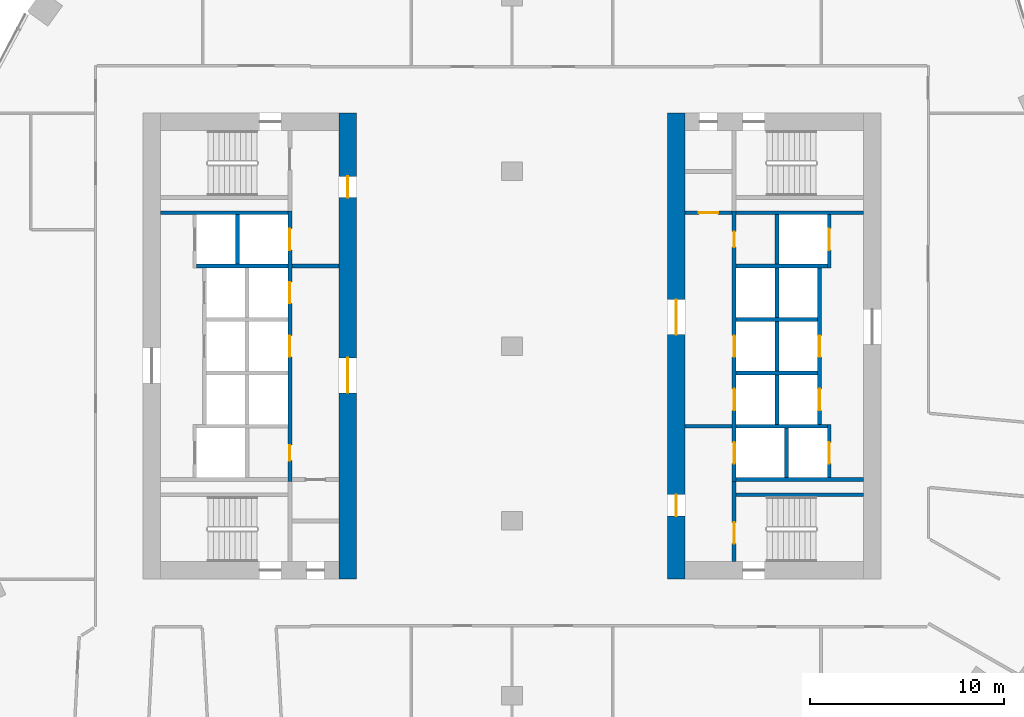
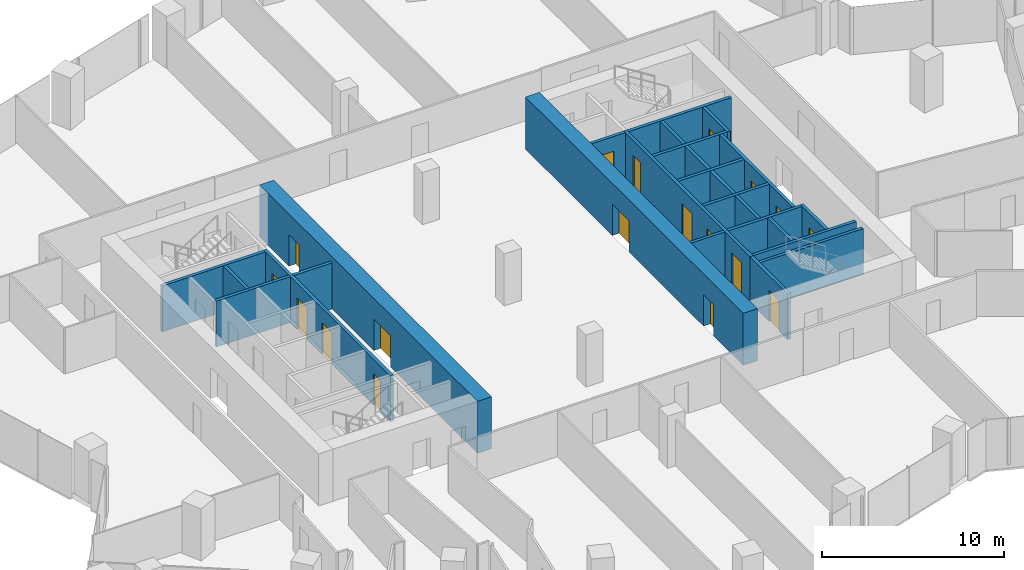
# One storey, part 25 of 31: 26 walls, 18 doors, 18 openings.
"""IFC4 building model written with IfcOpenShell, lengths in metres."""

from ifc_helpers import new_model, si_unit, direction, frame, frame_2d, origin, place, context, subcontext, project, spatial, rectangle, extrude, material, layer, layer_set, type_object, element, fill, save


model = new_model("IFC4")

# Units and contexts
model_context = context("Model", 3, precision=1e-05, world=origin(), true_north=direction((0.0, 1.0)))
body_context = subcontext(model_context, "Body", "Model", "MODEL_VIEW")
ifc_project = project(units=[si_unit("LENGTHUNIT", "METRE"), si_unit("AREAUNIT", "SQUARE_METRE"), si_unit("VOLUMEUNIT", "CUBIC_METRE"), si_unit("PLANEANGLEUNIT", "RADIAN"), si_unit("MASSUNIT", "GRAM", prefix="KILO")], contexts=[model_context])

# Site, building, storey
site_placement = place(None, origin())
site = spatial("IfcSite", under=ifc_project, at=site_placement, CompositionType="ELEMENT")
building_placement = place(site_placement, origin())
building = spatial("IfcBuilding", under=site, at=building_placement, Name="Orlundy Tower", CompositionType="ELEMENT")
storey_placement = place(building_placement, frame((0.0, 0.0, 84.199951171875)))
storey = spatial("IfcBuildingStorey", under=building, at=storey_placement, Name="L20", CompositionType="ELEMENT", Elevation=84.199951171875)

# Wall, openings, doors
ifc_material_1 = material(Name="Concrete C80/95", Category="concrete")
ifc_layer_1 = layer(ifc_material_1, 0.89990234375)
ifc_layer_set_1 = layer_set([ifc_layer_1], Name="CORE WALL 900 C80/95")
wall_type_1 = type_object("IfcWallType", Name="CORE WALL 900 C80/95", PredefinedType="SHEAR", material=ifc_layer_set_1)
wall_1_placement = place(storey_placement, frame((-8.449951171875, -12.0, 0.0), z_axis=(0.0, 0.0, 1.0), x_axis=(0.0, 1.0, 0.0)))
wall_1 = element("IfcWall", 1, at=wall_1_placement, inside=storey, type_object=wall_type_1, Name="Core wall W-E L20", PredefinedType="SHEAR", context=body_context, shape_type="SweptSolid", body=[
    extrude(rectangle(XDim=24.0, YDim=0.89990234375, at=frame_2d((12.0, 0.0))), origin(), (0.0, 0.0, 1.0), 3.5),
])
opening_1_placement = place(wall_1_placement, frame((9.60009765625, 0.0, 0.0)))
opening_1 = element("IfcOpeningElement", 2, at=opening_1_placement, cuts=wall_1, Name="Opening 17009", PredefinedType="OPENING", context=body_context, shape_type="SweptSolid", body=[
    extrude(rectangle(XDim=1.800048828125, YDim=2.10009765625, at=frame_2d((0.89990234375, 1.050048828125))), frame((0.0, 0.4599609375, 0.0), z_axis=(0.0, -1.0, 0.0), x_axis=(1.0, 0.0, 0.0)), (0.0, 0.0, 1.0), 0.919921875),
])
opening_2_placement = place(wall_1_placement, frame((19.64990234375, 0.0, 0.0)))
opening_2 = element("IfcOpeningElement", 3, at=opening_2_placement, cuts=wall_1, Name="Opening 17011", PredefinedType="OPENING", context=body_context, shape_type="SweptSolid", body=[
    extrude(rectangle(XDim=1.10009765625, YDim=2.10009765625, at=frame_2d((0.550048828125, 1.050048828125))), frame((0.0, 0.4599609375, 0.0), z_axis=(0.0, -1.0, 0.0), x_axis=(1.0, 0.0, 0.0)), (0.0, 0.0, 1.0), 0.919921875),
])
ifc_material_2 = material(Name="Steel door set", Category="steel")
door_type_1 = type_object("IfcDoorType", Name="Fire-fighting Lobby Door 1100x2100", OperationType="SINGLE_SWING_LEFT", PredefinedType="DOOR", material=ifc_material_2)
door_1_placement = place(opening_2_placement, origin())
door_1 = element("IfcDoor", 4, at=door_1_placement, inside=storey, type_object=door_type_1, Name="Fire-fighting lobby door 17011", OperationType="SINGLE_SWING_RIGHT", OverallHeight=2.10009765625, OverallWidth=1.10009765625, PredefinedType="DOOR", context=body_context, shape_type="SweptSolid", body=[
    extrude(rectangle(XDim=1.10009765625, YDim=2.10009765625, at=frame_2d((0.550048828125, 1.050048828125))), frame((0.0, 0.02490234375, 0.0), z_axis=(0.0, -1.0, 0.0), x_axis=(1.0, 0.0, 0.0)), (0.0, 0.0, 1.0), 0.050048828125),
])
fill(opening_2, door_1)
ifc_material_3 = material(Name="Timber door set", Category="wood")
door_type_2 = type_object("IfcDoorType", Name="Lobby Door 1800x2100", OperationType="DOUBLE_DOOR_DOUBLE_SWING", PredefinedType="DOOR", material=ifc_material_3)
door_2_placement = place(opening_1_placement, origin())
door_2 = element("IfcDoor", 5, at=door_2_placement, inside=storey, type_object=door_type_2, Name="Lift lobby door 17009", OperationType="SINGLE_SWING_LEFT", OverallHeight=2.10009765625, OverallWidth=1.800048828125, PredefinedType="DOOR", context=body_context, shape_type="SweptSolid", body=[
    extrude(rectangle(XDim=1.800048828125, YDim=2.10009765625, at=frame_2d((0.89990234375, 1.050048828125))), frame((0.0, 0.02490234375, 0.0), z_axis=(0.0, -1.0, 0.0), x_axis=(1.0, 0.0, 0.0)), (0.0, 0.0, 1.0), 0.050048828125),
])
fill(opening_1, door_2)

wall_2_placement = place(storey_placement, frame((8.449951171875, -12.0, 0.0), z_axis=(0.0, 0.0, 1.0), x_axis=(0.0, 1.0, 0.0)))
wall_2 = element("IfcWall", 6, at=wall_2_placement, inside=storey, type_object=wall_type_1, Name="Core wall E-W L20", PredefinedType="SHEAR", context=body_context, shape_type="SweptSolid", body=[
    extrude(rectangle(XDim=24.0, YDim=0.89990234375, at=frame_2d((12.0, 0.0))), origin(), (0.0, 0.0, 1.0), 3.5),
])
opening_3_placement = place(wall_2_placement, frame((12.60009765625, 0.0, 0.0)))
opening_3 = element("IfcOpeningElement", 7, at=opening_3_placement, cuts=wall_2, Name="Opening 17058", PredefinedType="OPENING", context=body_context, shape_type="SweptSolid", body=[
    extrude(rectangle(XDim=1.800048828125, YDim=2.10009765625, at=frame_2d((0.89990234375, 1.050048828125))), frame((0.0, 0.4599609375, 0.0), z_axis=(0.0, -1.0, 0.0), x_axis=(1.0, 0.0, 0.0)), (0.0, 0.0, 1.0), 0.919921875),
])
opening_4_placement = place(wall_2_placement, frame((3.25, 0.0, 0.0)))
opening_4 = element("IfcOpeningElement", 8, at=opening_4_placement, cuts=wall_2, Name="Opening 17060", PredefinedType="OPENING", context=body_context, shape_type="SweptSolid", body=[
    extrude(rectangle(XDim=1.10009765625, YDim=2.10009765625, at=frame_2d((0.550048828125, 1.050048828125))), frame((0.0, 0.4599609375, 0.0), z_axis=(0.0, -1.0, 0.0), x_axis=(1.0, 0.0, 0.0)), (0.0, 0.0, 1.0), 0.919921875),
])
door_3_placement = place(opening_4_placement, origin())
door_3 = element("IfcDoor", 9, at=door_3_placement, inside=storey, type_object=door_type_1, Name="Fire-fighting lobby door 17060", OperationType="SINGLE_SWING_LEFT", OverallHeight=2.10009765625, OverallWidth=1.10009765625, PredefinedType="DOOR", context=body_context, shape_type="SweptSolid", body=[
    extrude(rectangle(XDim=1.10009765625, YDim=2.10009765625, at=frame_2d((0.550048828125, 1.050048828125))), frame((0.0, 0.02490234375, 0.0), z_axis=(0.0, -1.0, 0.0), x_axis=(1.0, 0.0, 0.0)), (0.0, 0.0, 1.0), 0.050048828125),
])
fill(opening_4, door_3)
door_4_placement = place(opening_3_placement, origin())
door_4 = element("IfcDoor", 10, at=door_4_placement, inside=storey, type_object=door_type_2, Name="Lift lobby door 17058", OperationType="SINGLE_SWING_RIGHT", OverallHeight=2.10009765625, OverallWidth=1.800048828125, PredefinedType="DOOR", context=body_context, shape_type="SweptSolid", body=[
    extrude(rectangle(XDim=1.800048828125, YDim=2.10009765625, at=frame_2d((0.89990234375, 1.050048828125))), frame((0.0, 0.02490234375, 0.0), z_axis=(0.0, -1.0, 0.0), x_axis=(1.0, 0.0, 0.0)), (0.0, 0.0, 1.0), 0.050048828125),
])
fill(opening_3, door_4)

# Wall, opening, door
ifc_material_4 = material(Name="Concrete C40/50", Category="concrete")
ifc_layer_2 = layer(ifc_material_4, 0.199951171875)
ifc_layer_set_2 = layer_set([ifc_layer_2], Name="Load-bearing Shaft Wall 200")
wall_type_2 = type_object("IfcWallType", Name="Load-bearing Shaft Wall 200", PredefinedType="SOLIDWALL", material=ifc_layer_set_2)
wall_3_placement = place(storey_placement, frame((11.43994140625, -6.97509765625, 0.0), z_axis=(0.0, 0.0, 1.0), x_axis=(0.0, -1.0, 0.0)))
wall_3 = element("IfcWall", 11, at=wall_3_placement, inside=storey, type_object=wall_type_2, Name="Shaft wall E17-stair-end-n", PredefinedType="SOLIDWALL", context=body_context, shape_type="SweptSolid", body=[
    extrude(rectangle(XDim=4.125, YDim=0.199951171875, at=frame_2d((2.0625, 0.0))), origin(), (0.0, 0.0, 1.0), 3.090087890625),
])
opening_5_placement = place(wall_3_placement, frame((2.10009765625, 0.0, 0.0)))
opening_5 = element("IfcOpeningElement", 12, at=opening_5_placement, cuts=wall_3, Name="Opening 17063", PredefinedType="OPENING", context=body_context, shape_type="SweptSolid", body=[
    extrude(rectangle(XDim=1.10009765625, YDim=2.10009765625, at=frame_2d((0.550048828125, 1.050048828125))), frame((0.0, 0.110107421875, 0.0), z_axis=(0.0, -1.0, 0.0), x_axis=(1.0, 0.0, 0.0)), (0.0, 0.0, 1.0), 0.22021484375),
])
door_5_placement = place(opening_5_placement, origin())
door_5 = element("IfcDoor", 13, at=door_5_placement, inside=storey, type_object=door_type_1, Name="Fire-fighting lobby to stair door 17063", OperationType="SINGLE_SWING_RIGHT", OverallHeight=2.10009765625, OverallWidth=1.10009765625, PredefinedType="DOOR", context=body_context, shape_type="SweptSolid", body=[
    extrude(rectangle(XDim=1.10009765625, YDim=2.10009765625, at=frame_2d((0.550048828125, 1.050048828125))), frame((0.0, 0.02490234375, 0.0), z_axis=(0.0, -1.0, 0.0), x_axis=(1.0, 0.0, 0.0)), (0.0, 0.0, 1.0), 0.050048828125),
])
fill(opening_5, door_5)

# Walls
wall_4_placement = place(storey_placement, frame((11.5400390625, -7.64990234375, 0.0), z_axis=(0.0, 0.0, 1.0), x_axis=(1.0, 0.0, 0.0)))
element("IfcWall", 14, at=wall_4_placement, inside=storey, type_object=wall_type_2, Name="Shaft wall E17-stair-side-n", PredefinedType="SOLIDWALL", context=body_context, shape_type="SweptSolid", body=[
    extrude(rectangle(XDim=6.56005859375, YDim=0.199951171875, at=frame_2d((3.280029296875, 0.0))), origin(), (0.0, 0.0, 1.0), 3.090087890625),
])
ifc_material_5 = material(Name="Gypsum board partition on steel studs", Category="steel")
ifc_layer_3 = layer(ifc_material_5, 0.199951171875)
ifc_layer_set_3 = layer_set([ifc_layer_3], Name="Partition 200")
wall_type_3 = type_object("IfcWallType", Name="Partition 200", PredefinedType="PARTITIONING", material=ifc_layer_set_3)
for number, where, z_axis, x_axis, name in (
    (15, (-8.89990234375, 4.125, 0.0), (0.0, 0.0, 1.0), (-1.0, 0.0, 0.0), "Partition wall W17-lobby-n"),
    (16, (8.89990234375, -4.125, 0.0), (0.0, 0.0, 1.0), (1.0, 0.0, 0.0), "Partition wall E17-lobby-n"),
):
    element("IfcWall", number, at=place(storey_placement, frame(where, z_axis=z_axis, x_axis=x_axis)), inside=storey, type_object=wall_type_3, Name=name, PredefinedType="PARTITIONING", context=body_context, shape_type="SweptSolid", body=[
        extrude(rectangle(XDim=2.440185546875, YDim=0.199951171875, at=frame_2d((1.22021484375, 0.0))), origin(), (0.0, 0.0, 1.0), 3.090087890625),
    ])

# Wall, opening, door
wall_5_placement = place(storey_placement, frame((8.89990234375, 6.875, 0.0), z_axis=(0.0, 0.0, 1.0), x_axis=(1.0, 0.0, 0.0)))
wall_5 = element("IfcWall", 17, at=wall_5_placement, inside=storey, type_object=wall_type_3, Name="Partition wall E17-end-s", PredefinedType="PARTITIONING", context=body_context, shape_type="SweptSolid", body=[
    extrude(rectangle(XDim=2.440185546875, YDim=0.199951171875, at=frame_2d((1.22021484375, 0.0))), origin(), (0.0, 0.0, 1.0), 3.090087890625),
])
opening_6_placement = place(wall_5_placement, frame((0.719970703125, 0.0, 0.0)))
opening_6 = element("IfcOpeningElement", 18, at=opening_6_placement, cuts=wall_5, Name="Opening 17065", PredefinedType="OPENING", context=body_context, shape_type="SweptSolid", body=[
    extrude(rectangle(XDim=1.0, YDim=2.10009765625, at=frame_2d((0.5, 1.050048828125))), frame((0.0, 0.110107421875, 0.0), z_axis=(0.0, -1.0, 0.0), x_axis=(1.0, 0.0, 0.0)), (0.0, 0.0, 1.0), 0.22021484375),
])
ifc_material_6 = material(Name="Timber door set", Category="wood")
door_type_3 = type_object("IfcDoorType", Name="Accessible Door 1000x2100", OperationType="SINGLE_SWING_LEFT", PredefinedType="DOOR", material=ifc_material_6)
door_6_placement = place(opening_6_placement, origin())
door_6 = element("IfcDoor", 19, at=door_6_placement, inside=storey, type_object=door_type_3, Name="Accessible WC door 17065", OperationType="SINGLE_SWING_RIGHT", OverallHeight=2.10009765625, OverallWidth=1.0, PredefinedType="DOOR", context=body_context, shape_type="SweptSolid", body=[
    extrude(rectangle(XDim=1.0, YDim=2.10009765625, at=frame_2d((0.5, 1.050048828125))), frame((0.0, 0.02490234375, 0.0), z_axis=(0.0, -1.0, 0.0), x_axis=(1.0, 0.0, 0.0)), (0.0, 0.0, 1.0), 0.050048828125),
])
fill(opening_6, door_6)

# Walls
ifc_material_7 = material(Name="Fire-rated blockwork shaft wall", Category="masonry")
ifc_layer_4 = layer(ifc_material_7, 0.199951171875)
ifc_layer_set_4 = layer_set([ifc_layer_4], Name="Shaft Wall 200")
wall_type_4 = type_object("IfcWallType", Name="Shaft Wall 200", PredefinedType="SOLIDWALL", material=ifc_layer_set_4)
wall_6_placement = place(storey_placement, frame((-11.5400390625, 6.875, 0.0), z_axis=(0.0, 0.0, 1.0), x_axis=(-1.0, 0.0, 0.0)))
element("IfcWall", 20, at=wall_6_placement, inside=storey, type_object=wall_type_4, Name="Shaft wall W17-zone-n", PredefinedType="SOLIDWALL", context=body_context, shape_type="SweptSolid", body=[
    extrude(rectangle(XDim=6.56005859375, YDim=0.199951171875, at=frame_2d((3.280029296875, 0.0))), origin(), (0.0, 0.0, 1.0), 3.090087890625),
])
wall_7_placement = place(storey_placement, frame((-11.5400390625, 4.125, 0.0), z_axis=(0.0, 0.0, 1.0), x_axis=(-1.0, 0.0, 0.0)))
element("IfcWall", 21, at=wall_7_placement, inside=storey, type_object=wall_type_4, Name="Shaft wall W17-cross+4.125", PredefinedType="SOLIDWALL", context=body_context, shape_type="SweptSolid", body=[
    extrude(rectangle(XDim=4.699951171875, YDim=0.199951171875, at=frame_2d((2.35009765625, 0.0))), origin(), (0.0, 0.0, 1.0), 3.090087890625),
])

# Wall, openings, doors
wall_8_placement = place(storey_placement, frame((-11.43994140625, -6.97509765625, 0.0), z_axis=(0.0, 0.0, 1.0), x_axis=(0.0, 1.0, 0.0)))
wall_8 = element("IfcWall", 22, at=wall_8_placement, inside=storey, type_object=wall_type_4, Name="Shaft wall W17-front-h", PredefinedType="SOLIDWALL", context=body_context, shape_type="SweptSolid", body=[
    extrude(rectangle(XDim=13.9501953125, YDim=0.199951171875, at=frame_2d((6.97509765625, 0.0))), origin(), (0.0, 0.0, 1.0), 3.090087890625),
])
opening_7_placement = place(wall_8_placement, frame((6.425048828125, 0.0, 0.0)))
opening_7 = element("IfcOpeningElement", 23, at=opening_7_placement, cuts=wall_8, Name="Opening 17002", PredefinedType="OPENING", context=body_context, shape_type="SweptSolid", body=[
    extrude(rectangle(XDim=1.10009765625, YDim=2.10009765625, at=frame_2d((0.550048828125, 1.050048828125))), frame((0.0, 0.110107421875, 0.0), z_axis=(0.0, -1.0, 0.0), x_axis=(1.0, 0.0, 0.0)), (0.0, 0.0, 1.0), 0.22021484375),
])
opening_8_placement = place(wall_8_placement, frame((9.175048828125, 0.0, 0.0)))
opening_8 = element("IfcOpeningElement", 24, at=opening_8_placement, cuts=wall_8, Name="Opening 17004", PredefinedType="OPENING", context=body_context, shape_type="SweptSolid", body=[
    extrude(rectangle(XDim=1.10009765625, YDim=2.10009765625, at=frame_2d((0.550048828125, 1.050048828125))), frame((0.0, 0.110107421875, 0.0), z_axis=(0.0, -1.0, 0.0), x_axis=(1.0, 0.0, 0.0)), (0.0, 0.0, 1.0), 0.22021484375),
])
opening_9_placement = place(wall_8_placement, frame((11.925048828125, 0.0, 0.0)))
opening_9 = element("IfcOpeningElement", 25, at=opening_9_placement, cuts=wall_8, Name="Opening 17006", PredefinedType="OPENING", context=body_context, shape_type="SweptSolid", body=[
    extrude(rectangle(XDim=1.10009765625, YDim=2.10009765625, at=frame_2d((0.550048828125, 1.050048828125))), frame((0.0, 0.110107421875, 0.0), z_axis=(0.0, -1.0, 0.0), x_axis=(1.0, 0.0, 0.0)), (0.0, 0.0, 1.0), 0.22021484375),
])
opening_10_placement = place(wall_8_placement, frame((1.074951171875, 0.0, 0.0)))
opening_10 = element("IfcOpeningElement", 26, at=opening_10_placement, cuts=wall_8, Name="Opening 17008", PredefinedType="OPENING", context=body_context, shape_type="SweptSolid", body=[
    extrude(rectangle(XDim=0.800048828125, YDim=2.10009765625, at=frame_2d((0.39990234375, 1.050048828125))), frame((0.0, 0.110107421875, 0.0), z_axis=(0.0, -1.0, 0.0), x_axis=(1.0, 0.0, 0.0)), (0.0, 0.0, 1.0), 0.22021484375),
])
ifc_material_8 = material(Name="Steel door set", Category="steel")
door_type_4 = type_object("IfcDoorType", Name="Landing Door 1100x2100", OperationType="DOUBLE_DOOR_SLIDING", PredefinedType="DOOR", material=ifc_material_8)
door_7_placement = place(opening_7_placement, origin())
door_7 = element("IfcDoor", 27, at=door_7_placement, inside=storey, type_object=door_type_4, Name="Lift landing door LP-05 17002", OperationType="DOUBLE_DOOR_SLIDING", OverallHeight=2.10009765625, OverallWidth=1.10009765625, PredefinedType="DOOR", context=body_context, shape_type="SweptSolid", body=[
    extrude(rectangle(XDim=1.10009765625, YDim=2.10009765625, at=frame_2d((0.550048828125, 1.050048828125))), frame((0.0, 0.02490234375, 0.0), z_axis=(0.0, -1.0, 0.0), x_axis=(1.0, 0.0, 0.0)), (0.0, 0.0, 1.0), 0.050048828125),
])
fill(opening_7, door_7)
door_8_placement = place(opening_8_placement, origin())
door_8 = element("IfcDoor", 28, at=door_8_placement, inside=storey, type_object=door_type_4, Name="Lift landing door LP-02 17004", OperationType="DOUBLE_DOOR_SLIDING", OverallHeight=2.10009765625, OverallWidth=1.10009765625, PredefinedType="DOOR", context=body_context, shape_type="SweptSolid", body=[
    extrude(rectangle(XDim=1.10009765625, YDim=2.10009765625, at=frame_2d((0.550048828125, 1.050048828125))), frame((0.0, 0.02490234375, 0.0), z_axis=(0.0, -1.0, 0.0), x_axis=(1.0, 0.0, 0.0)), (0.0, 0.0, 1.0), 0.050048828125),
])
fill(opening_8, door_8)
door_9_placement = place(opening_9_placement, origin())
door_9 = element("IfcDoor", 29, at=door_9_placement, inside=storey, type_object=door_type_4, Name="Lift landing door FL1 17006", OperationType="DOUBLE_DOOR_SLIDING", OverallHeight=2.10009765625, OverallWidth=1.10009765625, PredefinedType="DOOR", context=body_context, shape_type="SweptSolid", body=[
    extrude(rectangle(XDim=1.10009765625, YDim=2.10009765625, at=frame_2d((0.550048828125, 1.050048828125))), frame((0.0, 0.02490234375, 0.0), z_axis=(0.0, -1.0, 0.0), x_axis=(1.0, 0.0, 0.0)), (0.0, 0.0, 1.0), 0.050048828125),
])
fill(opening_9, door_9)
ifc_material_9 = material(Name="Timber door set", Category="wood")
door_type_5 = type_object("IfcDoorType", Name="Riser Door 800x2100", OperationType="SINGLE_SWING_LEFT", PredefinedType="DOOR", material=ifc_material_9)
door_10_placement = place(opening_10_placement, origin())
door_10 = element("IfcDoor", 30, at=door_10_placement, inside=storey, type_object=door_type_5, Name="Telecom Room door 17008", OperationType="SINGLE_SWING_LEFT", OverallHeight=2.10009765625, OverallWidth=0.800048828125, PredefinedType="DOOR", context=body_context, shape_type="SweptSolid", body=[
    extrude(rectangle(XDim=0.800048828125, YDim=2.10009765625, at=frame_2d((0.39990234375, 1.050048828125))), frame((0.0, 0.02490234375, 0.0), z_axis=(0.0, -1.0, 0.0), x_axis=(1.0, 0.0, 0.0)), (0.0, 0.0, 1.0), 0.050048828125),
])
fill(opening_10, door_10)

# Walls
wall_9_placement = place(storey_placement, frame((-14.139892578125, 4.22509765625, 0.0), z_axis=(0.0, 0.0, 1.0), x_axis=(0.0, 1.0, 0.0)))
element("IfcWall", 31, at=wall_9_placement, inside=storey, type_object=wall_type_4, Name="Shaft wall W17-mid-b", PredefinedType="SOLIDWALL", context=body_context, shape_type="SweptSolid", body=[
    extrude(rectangle(XDim=2.5498046875, YDim=0.199951171875, at=frame_2d((1.27490234375, 0.0))), origin(), (0.0, 0.0, 1.0), 3.090087890625),
])
for number, where, z_axis, x_axis, name in (
    (32, (11.5400390625, -6.875, 0.0), (0.0, 0.0, 1.0), (1.0, 0.0, 0.0), "Shaft wall E17-zone-n"),
    (33, (11.5400390625, 6.875, 0.0), (0.0, 0.0, 1.0), (1.0, 0.0, 0.0), "Shaft wall E17-zone-s"),
):
    element("IfcWall", number, at=place(storey_placement, frame(where, z_axis=z_axis, x_axis=x_axis)), inside=storey, type_object=wall_type_4, Name=name, PredefinedType="SOLIDWALL", context=body_context, shape_type="SweptSolid", body=[
        extrude(rectangle(XDim=6.56005859375, YDim=0.199951171875, at=frame_2d((3.280029296875, 0.0))), origin(), (0.0, 0.0, 1.0), 3.090087890625),
    ])
wall_10_placement = place(storey_placement, frame((11.5400390625, 4.125, 0.0), z_axis=(0.0, 0.0, 1.0), x_axis=(1.0, 0.0, 0.0)))
element("IfcWall", 34, at=wall_10_placement, inside=storey, type_object=wall_type_4, Name="Shaft wall E17-cross-4.125", PredefinedType="SOLIDWALL", context=body_context, shape_type="SweptSolid", body=[
    extrude(rectangle(XDim=4.699951171875, YDim=0.199951171875, at=frame_2d((2.35009765625, 0.0))), origin(), (0.0, 0.0, 1.0), 3.090087890625),
])
for number, where, z_axis, x_axis, name in (
    (35, (11.5400390625, 1.375, 0.0), (0.0, 0.0, 1.0), (1.0, 0.0, 0.0), "Shaft wall E17-cross-1.375"),
    (36, (11.5400390625, -1.375, 0.0), (0.0, 0.0, 1.0), (1.0, 0.0, 0.0), "Shaft wall E17-cross+1.375"),
):
    element("IfcWall", number, at=place(storey_placement, frame(where, z_axis=z_axis, x_axis=x_axis)), inside=storey, type_object=wall_type_4, Name=name, PredefinedType="SOLIDWALL", context=body_context, shape_type="SweptSolid", body=[
        extrude(rectangle(XDim=4.199951171875, YDim=0.199951171875, at=frame_2d((2.10009765625, 0.0))), origin(), (0.0, 0.0, 1.0), 3.090087890625),
    ])
wall_11_placement = place(storey_placement, frame((11.5400390625, -4.125, 0.0), z_axis=(0.0, 0.0, 1.0), x_axis=(1.0, 0.0, 0.0)))
element("IfcWall", 37, at=wall_11_placement, inside=storey, type_object=wall_type_4, Name="Shaft wall E17-cross+4.125", PredefinedType="SOLIDWALL", context=body_context, shape_type="SweptSolid", body=[
    extrude(rectangle(XDim=4.699951171875, YDim=0.199951171875, at=frame_2d((2.35009765625, 0.0))), origin(), (0.0, 0.0, 1.0), 3.090087890625),
])

# Wall, openings, doors
wall_12_placement = place(storey_placement, frame((11.43994140625, 6.97509765625, 0.0), z_axis=(0.0, 0.0, 1.0), x_axis=(0.0, -1.0, 0.0)))
wall_12 = element("IfcWall", 38, at=wall_12_placement, inside=storey, type_object=wall_type_4, Name="Shaft wall E17-front-h", PredefinedType="SOLIDWALL", context=body_context, shape_type="SweptSolid", body=[
    extrude(rectangle(XDim=13.9501953125, YDim=0.199951171875, at=frame_2d((6.97509765625, 0.0))), origin(), (0.0, 0.0, 1.0), 3.090087890625),
])
opening_11_placement = place(wall_12_placement, frame((6.425048828125, 0.0, 0.0)))
opening_11 = element("IfcOpeningElement", 39, at=opening_11_placement, cuts=wall_12, Name="Opening 17051", PredefinedType="OPENING", context=body_context, shape_type="SweptSolid", body=[
    extrude(rectangle(XDim=1.10009765625, YDim=2.10009765625, at=frame_2d((0.550048828125, 1.050048828125))), frame((0.0, 0.110107421875, 0.0), z_axis=(0.0, -1.0, 0.0), x_axis=(1.0, 0.0, 0.0)), (0.0, 0.0, 1.0), 0.22021484375),
])
opening_12_placement = place(wall_12_placement, frame((9.175048828125, 0.0, 0.0)))
opening_12 = element("IfcOpeningElement", 40, at=opening_12_placement, cuts=wall_12, Name="Opening 17053", PredefinedType="OPENING", context=body_context, shape_type="SweptSolid", body=[
    extrude(rectangle(XDim=1.10009765625, YDim=2.10009765625, at=frame_2d((0.550048828125, 1.050048828125))), frame((0.0, 0.110107421875, 0.0), z_axis=(0.0, -1.0, 0.0), x_axis=(1.0, 0.0, 0.0)), (0.0, 0.0, 1.0), 0.22021484375),
])
opening_13_placement = place(wall_12_placement, frame((11.925048828125, 0.0, 0.0)))
opening_13 = element("IfcOpeningElement", 41, at=opening_13_placement, cuts=wall_12, Name="Opening 17055", PredefinedType="OPENING", context=body_context, shape_type="SweptSolid", body=[
    extrude(rectangle(XDim=1.10009765625, YDim=2.10009765625, at=frame_2d((0.550048828125, 1.050048828125))), frame((0.0, 0.110107421875, 0.0), z_axis=(0.0, -1.0, 0.0), x_axis=(1.0, 0.0, 0.0)), (0.0, 0.0, 1.0), 0.22021484375),
])
opening_14_placement = place(wall_12_placement, frame((1.074951171875, 0.0, 0.0)))
opening_14 = element("IfcOpeningElement", 42, at=opening_14_placement, cuts=wall_12, Name="Opening 17057", PredefinedType="OPENING", context=body_context, shape_type="SweptSolid", body=[
    extrude(rectangle(XDim=0.800048828125, YDim=2.10009765625, at=frame_2d((0.39990234375, 1.050048828125))), frame((0.0, 0.110107421875, 0.0), z_axis=(0.0, -1.0, 0.0), x_axis=(1.0, 0.0, 0.0)), (0.0, 0.0, 1.0), 0.22021484375),
])
door_11_placement = place(opening_11_placement, origin())
door_11 = element("IfcDoor", 43, at=door_11_placement, inside=storey, type_object=door_type_4, Name="Lift landing door LP-10 17051", OperationType="DOUBLE_DOOR_SLIDING", OverallHeight=2.10009765625, OverallWidth=1.10009765625, PredefinedType="DOOR", context=body_context, shape_type="SweptSolid", body=[
    extrude(rectangle(XDim=1.10009765625, YDim=2.10009765625, at=frame_2d((0.550048828125, 1.050048828125))), frame((0.0, 0.02490234375, 0.0), z_axis=(0.0, -1.0, 0.0), x_axis=(1.0, 0.0, 0.0)), (0.0, 0.0, 1.0), 0.050048828125),
])
fill(opening_11, door_11)
door_12_placement = place(opening_12_placement, origin())
door_12 = element("IfcDoor", 44, at=door_12_placement, inside=storey, type_object=door_type_4, Name="Lift landing door LP-07 17053", OperationType="DOUBLE_DOOR_SLIDING", OverallHeight=2.10009765625, OverallWidth=1.10009765625, PredefinedType="DOOR", context=body_context, shape_type="SweptSolid", body=[
    extrude(rectangle(XDim=1.10009765625, YDim=2.10009765625, at=frame_2d((0.550048828125, 1.050048828125))), frame((0.0, 0.02490234375, 0.0), z_axis=(0.0, -1.0, 0.0), x_axis=(1.0, 0.0, 0.0)), (0.0, 0.0, 1.0), 0.050048828125),
])
fill(opening_12, door_12)
door_13_placement = place(opening_13_placement, origin())
door_13 = element("IfcDoor", 45, at=door_13_placement, inside=storey, type_object=door_type_4, Name="Lift landing door FL2 17055", OperationType="DOUBLE_DOOR_SLIDING", OverallHeight=2.10009765625, OverallWidth=1.10009765625, PredefinedType="DOOR", context=body_context, shape_type="SweptSolid", body=[
    extrude(rectangle(XDim=1.10009765625, YDim=2.10009765625, at=frame_2d((0.550048828125, 1.050048828125))), frame((0.0, 0.02490234375, 0.0), z_axis=(0.0, -1.0, 0.0), x_axis=(1.0, 0.0, 0.0)), (0.0, 0.0, 1.0), 0.050048828125),
])
fill(opening_13, door_13)
door_14_placement = place(opening_14_placement, origin())
door_14 = element("IfcDoor", 46, at=door_14_placement, inside=storey, type_object=door_type_5, Name="Telecom Room door 17057", OperationType="SINGLE_SWING_LEFT", OverallHeight=2.10009765625, OverallWidth=0.800048828125, PredefinedType="DOOR", context=body_context, shape_type="SweptSolid", body=[
    extrude(rectangle(XDim=0.800048828125, YDim=2.10009765625, at=frame_2d((0.39990234375, 1.050048828125))), frame((0.0, 0.02490234375, 0.0), z_axis=(0.0, -1.0, 0.0), x_axis=(1.0, 0.0, 0.0)), (0.0, 0.0, 1.0), 0.050048828125),
])
fill(opening_14, door_14)

# Walls
for number, where, z_axis, x_axis, name in (
    (47, (13.639892578125, 6.77490234375, 0.0), (0.0, 0.0, 1.0), (0.0, -1.0, 0.0), "Shaft wall E17-mid-a"),
    (48, (13.639892578125, 4.02490234375, 0.0), (0.0, 0.0, 1.0), (0.0, -1.0, 0.0), "Shaft wall E17-mid-a.1"),
    (49, (13.639892578125, 1.27490234375, 0.0), (0.0, 0.0, 1.0), (0.0, -1.0, 0.0), "Shaft wall E17-mid-a.2"),
    (50, (13.639892578125, -1.47509765625, 0.0), (0.0, 0.0, 1.0), (0.0, -1.0, 0.0), "Shaft wall E17-mid-a.3"),
    (51, (14.139892578125, -4.22509765625, 0.0), (0.0, 0.0, 1.0), (0.0, -1.0, 0.0), "Shaft wall E17-mid-b"),
):
    element("IfcWall", number, at=place(storey_placement, frame(where, z_axis=z_axis, x_axis=x_axis)), inside=storey, type_object=wall_type_4, Name=name, PredefinedType="SOLIDWALL", context=body_context, shape_type="SweptSolid", body=[
        extrude(rectangle(XDim=2.5498046875, YDim=0.199951171875, at=frame_2d((1.27490234375, 0.0))), origin(), (0.0, 0.0, 1.0), 3.090087890625),
    ])

# Wall, opening, door
wall_13_placement = place(storey_placement, frame((16.340087890625, 6.77490234375, 0.0), z_axis=(0.0, 0.0, 1.0), x_axis=(0.0, -1.0, 0.0)))
wall_13 = element("IfcWall", 52, at=wall_13_placement, inside=storey, type_object=wall_type_4, Name="Shaft wall E17-front-o-a", PredefinedType="SOLIDWALL", context=body_context, shape_type="SweptSolid", body=[
    extrude(rectangle(XDim=2.75, YDim=0.199951171875, at=frame_2d((1.375, 0.0))), origin(), (0.0, 0.0, 1.0), 3.090087890625),
])
opening_15_placement = place(wall_13_placement, frame((0.72509765625, 0.0, 0.0)))
opening_15 = element("IfcOpeningElement", 53, at=opening_15_placement, cuts=wall_13, Name="Opening 17050", PredefinedType="OPENING", context=body_context, shape_type="SweptSolid", body=[
    extrude(rectangle(XDim=1.10009765625, YDim=2.10009765625, at=frame_2d((0.550048828125, 1.050048828125))), frame((0.0, 0.110107421875, 0.0), z_axis=(0.0, -1.0, 0.0), x_axis=(1.0, 0.0, 0.0)), (0.0, 0.0, 1.0), 0.22021484375),
])
door_15_placement = place(opening_15_placement, origin())
door_15 = element("IfcDoor", 54, at=door_15_placement, inside=storey, type_object=door_type_4, Name="Lift landing door LV-02 17050", OperationType="DOUBLE_DOOR_SLIDING", OverallHeight=2.10009765625, OverallWidth=1.10009765625, PredefinedType="DOOR", context=body_context, shape_type="SweptSolid", body=[
    extrude(rectangle(XDim=1.10009765625, YDim=2.10009765625, at=frame_2d((0.550048828125, 1.050048828125))), frame((0.0, 0.02490234375, 0.0), z_axis=(0.0, -1.0, 0.0), x_axis=(1.0, 0.0, 0.0)), (0.0, 0.0, 1.0), 0.050048828125),
])
fill(opening_15, door_15)

# Wall, openings, doors
wall_14_placement = place(storey_placement, frame((15.840087890625, 4.02490234375, 0.0), z_axis=(0.0, 0.0, 1.0), x_axis=(0.0, -1.0, 0.0)))
wall_14 = element("IfcWall", 55, at=wall_14_placement, inside=storey, type_object=wall_type_4, Name="Shaft wall E17-front-o-b", PredefinedType="SOLIDWALL", context=body_context, shape_type="SweptSolid", body=[
    extrude(rectangle(XDim=8.0498046875, YDim=0.199951171875, at=frame_2d((4.02490234375, 0.0))), origin(), (0.0, 0.0, 1.0), 3.090087890625),
])
opening_16_placement = place(wall_14_placement, frame((3.47509765625, 0.0, 0.0)))
opening_16 = element("IfcOpeningElement", 56, at=opening_16_placement, cuts=wall_14, Name="Opening 17052", PredefinedType="OPENING", context=body_context, shape_type="SweptSolid", body=[
    extrude(rectangle(XDim=1.10009765625, YDim=2.10009765625, at=frame_2d((0.550048828125, 1.050048828125))), frame((0.0, 0.110107421875, 0.0), z_axis=(0.0, -1.0, 0.0), x_axis=(1.0, 0.0, 0.0)), (0.0, 0.0, 1.0), 0.22021484375),
])
opening_17_placement = place(wall_14_placement, frame((6.22509765625, 0.0, 0.0)))
opening_17 = element("IfcOpeningElement", 57, at=opening_17_placement, cuts=wall_14, Name="Opening 17054", PredefinedType="OPENING", context=body_context, shape_type="SweptSolid", body=[
    extrude(rectangle(XDim=1.10009765625, YDim=2.10009765625, at=frame_2d((0.550048828125, 1.050048828125))), frame((0.0, 0.110107421875, 0.0), z_axis=(0.0, -1.0, 0.0), x_axis=(1.0, 0.0, 0.0)), (0.0, 0.0, 1.0), 0.22021484375),
])
door_16_placement = place(opening_16_placement, origin())
door_16 = element("IfcDoor", 58, at=door_16_placement, inside=storey, type_object=door_type_4, Name="Lift landing door LP-06 17052", OperationType="DOUBLE_DOOR_SLIDING", OverallHeight=2.10009765625, OverallWidth=1.10009765625, PredefinedType="DOOR", context=body_context, shape_type="SweptSolid", body=[
    extrude(rectangle(XDim=1.10009765625, YDim=2.10009765625, at=frame_2d((0.550048828125, 1.050048828125))), frame((0.0, 0.02490234375, 0.0), z_axis=(0.0, -1.0, 0.0), x_axis=(1.0, 0.0, 0.0)), (0.0, 0.0, 1.0), 0.050048828125),
])
fill(opening_16, door_16)
door_17_placement = place(opening_17_placement, origin())
door_17 = element("IfcDoor", 59, at=door_17_placement, inside=storey, type_object=door_type_4, Name="Lift landing door LP-08 17054", OperationType="DOUBLE_DOOR_SLIDING", OverallHeight=2.10009765625, OverallWidth=1.10009765625, PredefinedType="DOOR", context=body_context, shape_type="SweptSolid", body=[
    extrude(rectangle(XDim=1.10009765625, YDim=2.10009765625, at=frame_2d((0.550048828125, 1.050048828125))), frame((0.0, 0.02490234375, 0.0), z_axis=(0.0, -1.0, 0.0), x_axis=(1.0, 0.0, 0.0)), (0.0, 0.0, 1.0), 0.050048828125),
])
fill(opening_17, door_17)

# Wall, opening, door
wall_15_placement = place(storey_placement, frame((16.340087890625, -4.02490234375, 0.0), z_axis=(0.0, 0.0, 1.0), x_axis=(0.0, -1.0, 0.0)))
wall_15 = element("IfcWall", 60, at=wall_15_placement, inside=storey, type_object=wall_type_4, Name="Shaft wall E17-front-o-c", PredefinedType="SOLIDWALL", context=body_context, shape_type="SweptSolid", body=[
    extrude(rectangle(XDim=2.75, YDim=0.199951171875, at=frame_2d((1.375, 0.0))), origin(), (0.0, 0.0, 1.0), 3.090087890625),
])
opening_18_placement = place(wall_15_placement, frame((0.925048828125, 0.0, 0.0)))
opening_18 = element("IfcOpeningElement", 61, at=opening_18_placement, cuts=wall_15, Name="Opening 17056", PredefinedType="OPENING", context=body_context, shape_type="SweptSolid", body=[
    extrude(rectangle(XDim=1.10009765625, YDim=2.10009765625, at=frame_2d((0.550048828125, 1.050048828125))), frame((0.0, 0.110107421875, 0.0), z_axis=(0.0, -1.0, 0.0), x_axis=(1.0, 0.0, 0.0)), (0.0, 0.0, 1.0), 0.22021484375),
])
door_18_placement = place(opening_18_placement, origin())
door_18 = element("IfcDoor", 62, at=door_18_placement, inside=storey, type_object=door_type_4, Name="Lift landing door LP-09 17056", OperationType="DOUBLE_DOOR_SLIDING", OverallHeight=2.10009765625, OverallWidth=1.10009765625, PredefinedType="DOOR", context=body_context, shape_type="SweptSolid", body=[
    extrude(rectangle(XDim=1.10009765625, YDim=2.10009765625, at=frame_2d((0.550048828125, 1.050048828125))), frame((0.0, 0.02490234375, 0.0), z_axis=(0.0, -1.0, 0.0), x_axis=(1.0, 0.0, 0.0)), (0.0, 0.0, 1.0), 0.050048828125),
])
fill(opening_18, door_18)

save(model, "model.ifc")
